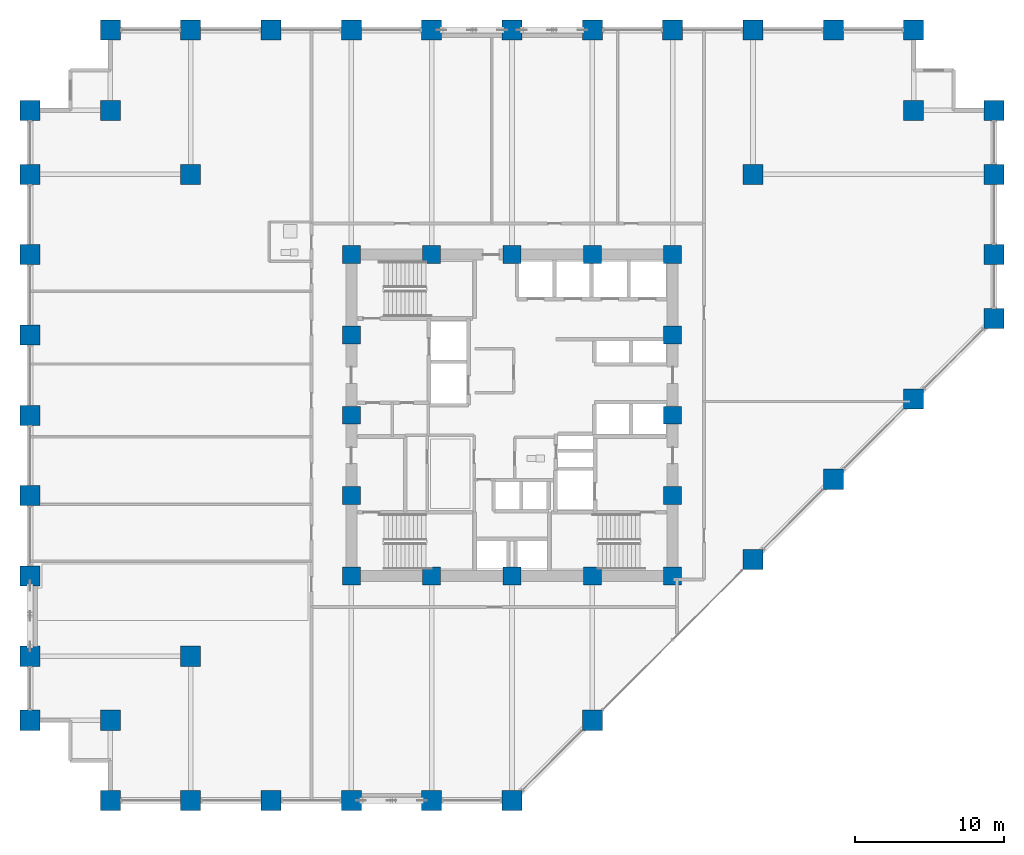
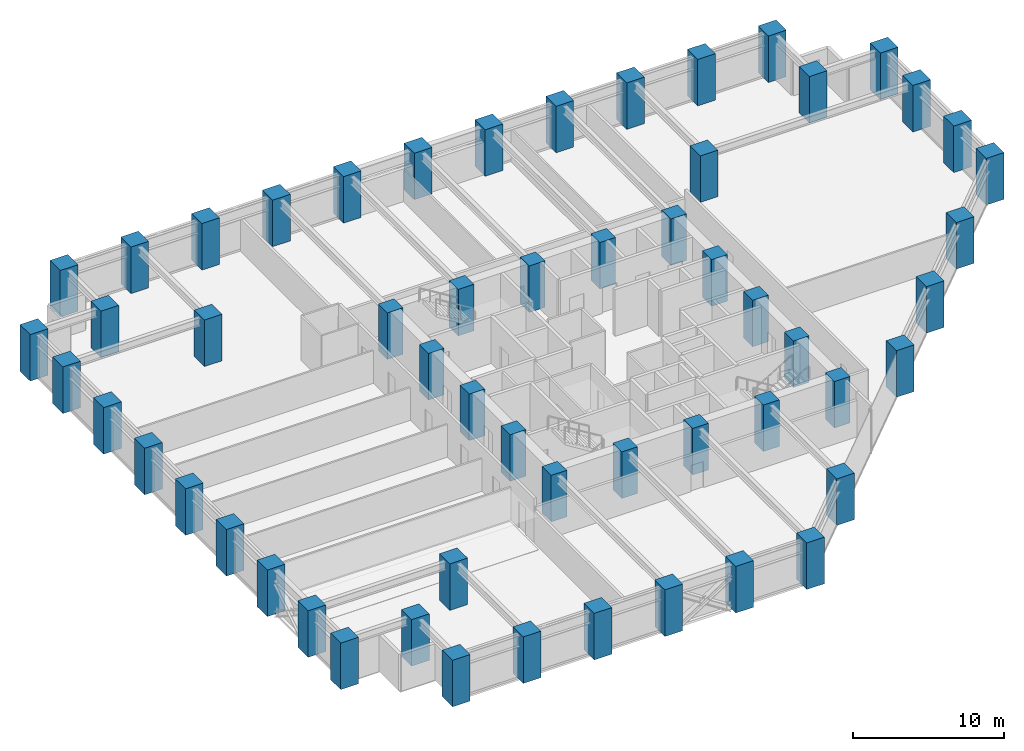
# One storey, part 1 of 25: 56 columns.
"""IFC4 building model written with IfcOpenShell, lengths in metres."""

from ifc_helpers import new_model, si_unit, direction, frame, origin, origin_2d, place, context, subcontext, project, spatial, rectangle, extrude, material, material_profile, profile_set, type_object, element, save


model = new_model("IFC4")

# Units and contexts
model_context = context("Model", 3, precision=1e-05, world=origin(), true_north=direction((0.0, 1.0)))
body_context = subcontext(model_context, "Body", "Model", "MODEL_VIEW")
ifc_project = project(units=[si_unit("LENGTHUNIT", "METRE"), si_unit("AREAUNIT", "SQUARE_METRE"), si_unit("VOLUMEUNIT", "CUBIC_METRE"), si_unit("PLANEANGLEUNIT", "RADIAN"), si_unit("MASSUNIT", "GRAM", prefix="KILO")], contexts=[model_context])

# Site, building, storey
site_placement = place(None, origin())
site = spatial("IfcSite", under=ifc_project, at=site_placement, CompositionType="ELEMENT")
building_placement = place(site_placement, origin())
building = spatial("IfcBuilding", under=site, at=building_placement, Name="Surkhivell Harbour Commons", CompositionType="ELEMENT")
storey_placement = place(building_placement, frame((0.0, 0.0, 33.75)))
storey = spatial("IfcBuildingStorey", under=building, at=storey_placement, Name="L08", CompositionType="ELEMENT", Elevation=33.75)

# Columns
ifc_material = material(Name="Concrete C80/95", Category="concrete")
ifc_material_profile_1 = material_profile(ifc_material, rectangle(XDim=1.35009765625, YDim=1.35009765625, at=origin_2d()), Name="RC-COL-1350x1350")
ifc_profile_set_1 = profile_set([ifc_material_profile_1], Name="Concrete C80/95")
column_type_1 = type_object("IfcColumnType", Name="COL-TUBE-Z1A", PredefinedType="COLUMN", material=ifc_profile_set_1)
for number, where, z_axis, x_axis, name in (
    (1, (-32.39990234375, -20.5, 0.0), (0.0, 0.0, 1.0), (1.0, 0.0, 0.0), "L08 Column CT-1A (-32.4,-20.5)"),
    (2, (-32.39990234375, -16.199951171875, 0.0), (0.0, 0.0, 1.0), (1.0, 0.0, 0.0), "L08 Column CT-1A (-32.4,-16.2)"),
    (3, (-32.39990234375, -10.800048828125, 0.0), (0.0, 0.0, 1.0), (1.0, 0.0, 0.0), "L08 Column CT-1A (-32.4,-10.8)"),
    (4, (-32.39990234375, -5.39990234375, 0.0), (0.0, 0.0, 1.0), (1.0, 0.0, 0.0), "L08 Column CT-1A (-32.4,-5.4)"),
    (5, (-32.39990234375, 0.0, 0.0), (0.0, 0.0, 1.0), (1.0, 0.0, 0.0), "L08 Column CT-1A (-32.4,0.0)"),
    (6, (-32.39990234375, 5.39990234375, 0.0), (0.0, 0.0, 1.0), (1.0, 0.0, 0.0), "L08 Column CT-1A (-32.4,5.4)"),
    (7, (-32.39990234375, 10.800048828125, 0.0), (0.0, 0.0, 1.0), (1.0, 0.0, 0.0), "L08 Column CT-1A (-32.4,10.8)"),
    (8, (-32.39990234375, 16.199951171875, 0.0), (0.0, 0.0, 1.0), (1.0, 0.0, 0.0), "L08 Column CT-1A (-32.4,16.2)"),
    (9, (-32.39990234375, 20.5, 0.0), (0.0, 0.0, 1.0), (1.0, 0.0, 0.0), "L08 Column CT-1A (-32.4,20.5)"),
    (10, (-27.0, -25.89990234375, 0.0), (0.0, 0.0, 1.0), (1.0, 0.0, 0.0), "L08 Column CT-1A (-27.0,-25.9)"),
    (11, (-27.0, -20.5, 0.0), (0.0, 0.0, 1.0), (1.0, 0.0, 0.0), "L08 Column CT-1A (-27.0,-20.5)"),
    (12, (-27.0, 20.5, 0.0), (0.0, 0.0, 1.0), (1.0, 0.0, 0.0), "L08 Column CT-1A (-27.0,20.5)"),
    (13, (-27.0, 25.89990234375, 0.0), (0.0, 0.0, 1.0), (1.0, 0.0, 0.0), "L08 Column CT-1A (-27.0,25.9)"),
    (14, (-21.60009765625, -25.89990234375, 0.0), (0.0, 0.0, 1.0), (1.0, 0.0, 0.0), "L08 Column CT-1A (-21.6,-25.9)"),
    (15, (-21.60009765625, -16.199951171875, 0.0), (0.0, 0.0, 1.0), (1.0, 0.0, 0.0), "L08 Column CT-1A (-21.6,-16.2)"),
    (16, (-21.60009765625, 16.199951171875, 0.0), (0.0, 0.0, 1.0), (1.0, 0.0, 0.0), "L08 Column CT-1A (-21.6,16.2)"),
    (17, (-21.60009765625, 25.89990234375, 0.0), (0.0, 0.0, 1.0), (1.0, 0.0, 0.0), "L08 Column CT-1A (-21.6,25.9)"),
    (18, (-16.199951171875, -25.89990234375, 0.0), (0.0, 0.0, 1.0), (1.0, 0.0, 0.0), "L08 Column CT-1A (-16.2,-25.9)"),
    (19, (-16.199951171875, 25.89990234375, 0.0), (0.0, 0.0, 1.0), (1.0, 0.0, 0.0), "L08 Column CT-1A (-16.2,25.9)"),
    (20, (-10.800048828125, -25.89990234375, 0.0), (0.0, 0.0, 1.0), (1.0, 0.0, 0.0), "L08 Column CT-1A (-10.8,-25.9)"),
    (21, (-10.800048828125, 25.89990234375, 0.0), (0.0, 0.0, 1.0), (1.0, 0.0, 0.0), "L08 Column CT-1A (-10.8,25.9)"),
    (22, (-5.39990234375, -25.89990234375, 0.0), (0.0, 0.0, 1.0), (1.0, 0.0, 0.0), "L08 Column CT-1A (-5.4,-25.9)"),
    (23, (-5.39990234375, 25.89990234375, 0.0), (0.0, 0.0, 1.0), (1.0, 0.0, 0.0), "L08 Column CT-1A (-5.4,25.9)"),
    (24, (0.0, -25.89990234375, 0.0), (0.0, 0.0, 1.0), (1.0, 0.0, 0.0), "L08 Column CT-1A (-0.0,-25.9)"),
    (25, (0.0, 25.89990234375, 0.0), (0.0, 0.0, 1.0), (1.0, 0.0, 0.0), "L08 Column CT-1A (-0.0,25.9)"),
    (26, (5.39990234375, -20.5, 0.0), (0.0, 0.0, 1.0), (1.0, 0.0, 0.0), "L08 Column CT-1A (5.4,-20.5)"),
    (27, (5.39990234375, 25.89990234375, 0.0), (0.0, 0.0, 1.0), (1.0, 0.0, 0.0), "L08 Column CT-1A (5.4,25.9)"),
    (28, (10.800048828125, 25.89990234375, 0.0), (0.0, 0.0, 1.0), (1.0, 0.0, 0.0), "L08 Column CT-1A (10.8,25.9)"),
    (29, (16.199951171875, -9.699951171875, 0.0), (0.0, 0.0, 1.0), (1.0, 0.0, 0.0), "L08 Column CT-1A (16.2,-9.7)"),
    (30, (16.199951171875, 16.199951171875, 0.0), (0.0, 0.0, 1.0), (1.0, 0.0, 0.0), "L08 Column CT-1A (16.2,16.2)"),
    (31, (16.199951171875, 25.89990234375, 0.0), (0.0, 0.0, 1.0), (1.0, 0.0, 0.0), "L08 Column CT-1A (16.2,25.9)"),
    (32, (21.60009765625, -4.300048828125, 0.0), (0.0, 0.0, 1.0), (1.0, 0.0, 0.0), "L08 Column CT-1A (21.6,-4.3)"),
    (33, (21.60009765625, 25.89990234375, 0.0), (0.0, 0.0, 1.0), (1.0, 0.0, 0.0), "L08 Column CT-1A (21.6,25.9)"),
    (34, (27.0, 1.10009765625, 0.0), (0.0, 0.0, 1.0), (1.0, 0.0, 0.0), "L08 Column CT-1A (27.0,1.1)"),
    (35, (27.0, 20.5, 0.0), (0.0, 0.0, 1.0), (1.0, 0.0, 0.0), "L08 Column CT-1A (27.0,20.5)"),
    (36, (27.0, 25.89990234375, 0.0), (0.0, 0.0, 1.0), (1.0, 0.0, 0.0), "L08 Column CT-1A (27.0,25.9)"),
    (37, (32.39990234375, 6.5, 0.0), (0.0, 0.0, 1.0), (1.0, 0.0, 0.0), "L08 Column CT-1A (32.4,6.5)"),
    (38, (32.39990234375, 10.800048828125, 0.0), (0.0, 0.0, 1.0), (1.0, 0.0, 0.0), "L08 Column CT-1A (32.4,10.8)"),
    (39, (32.39990234375, 16.199951171875, 0.0), (0.0, 0.0, 1.0), (1.0, 0.0, 0.0), "L08 Column CT-1A (32.4,16.2)"),
    (40, (32.39990234375, 20.5, 0.0), (0.0, 0.0, 1.0), (1.0, 0.0, 0.0), "L08 Column CT-1A (32.4,20.5)"),
):
    element("IfcColumn", number, at=place(storey_placement, frame(where, z_axis=z_axis, x_axis=x_axis)), inside=storey, type_object=column_type_1, Name=name, PredefinedType="COLUMN", context=body_context, shape_type="SweptSolid", body=[
        extrude(rectangle(XDim=1.35009765625, YDim=1.35009765625, at=origin_2d()), origin(), (0.0, 0.0, 1.0), 3.75),
    ])
ifc_material_profile_2 = material_profile(ifc_material, rectangle(XDim=1.199951171875, YDim=1.199951171875, at=origin_2d()), Name="RC-COL-1200x1200")
ifc_profile_set_2 = profile_set([ifc_material_profile_2], Name="Concrete C80/95")
column_type_2 = type_object("IfcColumnType", Name="COL-TUBE-Z1B", PredefinedType="COLUMN", material=ifc_profile_set_2)
for number, where, z_axis, x_axis, name in (
    (41, (-10.800048828125, -10.800048828125, 0.0), (0.0, 0.0, 1.0), (1.0, 0.0, 0.0), "L08 Column CT-1B (-10.8,-10.8)"),
    (42, (-10.800048828125, -5.39990234375, 0.0), (0.0, 0.0, 1.0), (1.0, 0.0, 0.0), "L08 Column CT-1B (-10.8,-5.4)"),
    (43, (-10.800048828125, 0.0, 0.0), (0.0, 0.0, 1.0), (1.0, 0.0, 0.0), "L08 Column CT-1B (-10.8,0.0)"),
    (44, (-10.800048828125, 5.39990234375, 0.0), (0.0, 0.0, 1.0), (1.0, 0.0, 0.0), "L08 Column CT-1B (-10.8,5.4)"),
    (45, (-10.800048828125, 10.800048828125, 0.0), (0.0, 0.0, 1.0), (1.0, 0.0, 0.0), "L08 Column CT-1B (-10.8,10.8)"),
    (46, (-5.39990234375, -10.800048828125, 0.0), (0.0, 0.0, 1.0), (1.0, 0.0, 0.0), "L08 Column CT-1B (-5.4,-10.8)"),
    (47, (-5.39990234375, 10.800048828125, 0.0), (0.0, 0.0, 1.0), (1.0, 0.0, 0.0), "L08 Column CT-1B (-5.4,10.8)"),
    (48, (0.0, -10.800048828125, 0.0), (0.0, 0.0, 1.0), (1.0, 0.0, 0.0), "L08 Column CT-1B (0.0,-10.8)"),
    (49, (0.0, 10.800048828125, 0.0), (0.0, 0.0, 1.0), (1.0, 0.0, 0.0), "L08 Column CT-1B (0.0,10.8)"),
    (50, (5.39990234375, -10.800048828125, 0.0), (0.0, 0.0, 1.0), (1.0, 0.0, 0.0), "L08 Column CT-1B (5.4,-10.8)"),
    (51, (5.39990234375, 10.800048828125, 0.0), (0.0, 0.0, 1.0), (1.0, 0.0, 0.0), "L08 Column CT-1B (5.4,10.8)"),
    (52, (10.800048828125, -10.800048828125, 0.0), (0.0, 0.0, 1.0), (1.0, 0.0, 0.0), "L08 Column CT-1B (10.8,-10.8)"),
    (53, (10.800048828125, -5.39990234375, 0.0), (0.0, 0.0, 1.0), (1.0, 0.0, 0.0), "L08 Column CT-1B (10.8,-5.4)"),
    (54, (10.800048828125, 0.0, 0.0), (0.0, 0.0, 1.0), (1.0, 0.0, 0.0), "L08 Column CT-1B (10.8,0.0)"),
    (55, (10.800048828125, 5.39990234375, 0.0), (0.0, 0.0, 1.0), (1.0, 0.0, 0.0), "L08 Column CT-1B (10.8,5.4)"),
    (56, (10.800048828125, 10.800048828125, 0.0), (0.0, 0.0, 1.0), (1.0, 0.0, 0.0), "L08 Column CT-1B (10.8,10.8)"),
):
    element("IfcColumn", number, at=place(storey_placement, frame(where, z_axis=z_axis, x_axis=x_axis)), inside=storey, type_object=column_type_2, Name=name, PredefinedType="COLUMN", context=body_context, shape_type="SweptSolid", body=[
        extrude(rectangle(XDim=1.199951171875, YDim=1.199951171875, at=origin_2d()), origin(), (0.0, 0.0, 1.0), 3.75),
    ])

save(model, "model.ifc")
